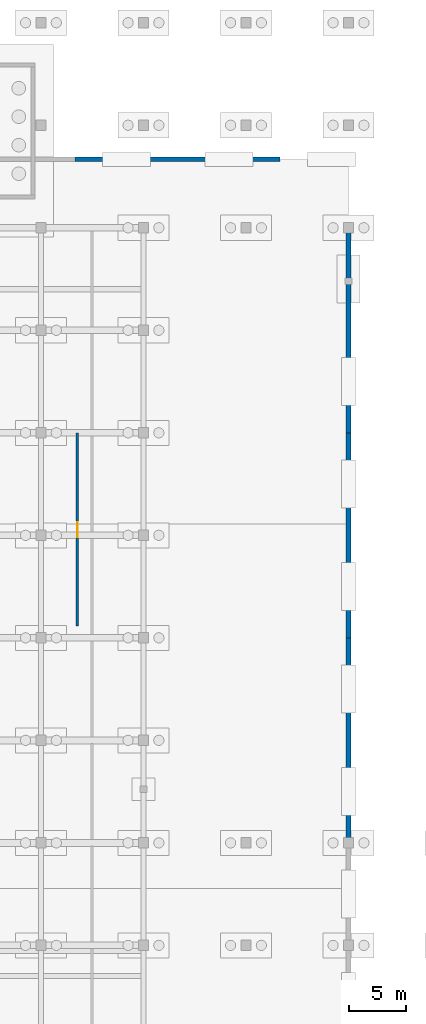
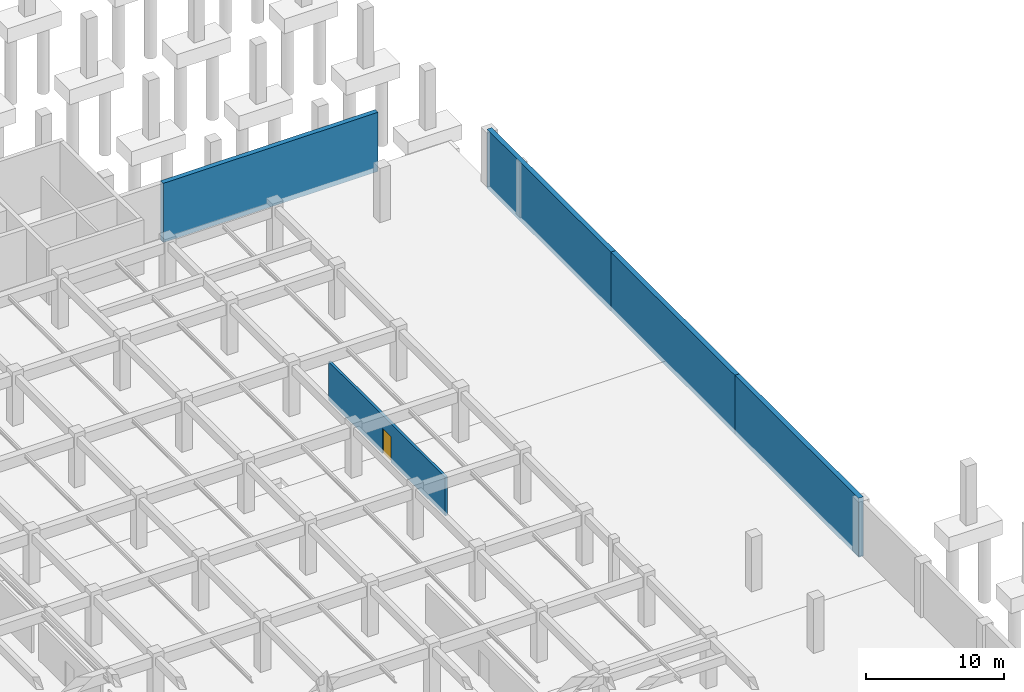
# One storey, part 21 of 27: 5 walls, 1 door, 1 opening.
"""IFC4 building model written with IfcOpenShell, lengths in metres."""

from ifc_helpers import new_model, si_unit, direction, frame, frame_2d, origin, place, context, subcontext, project, spatial, rectangle, extrude, material, layer, layer_set, type_object, element, fill, save


model = new_model("IFC4")

# Units and contexts
model_context = context("Model", 3, precision=1e-05, world=origin(), true_north=direction((0.0, 1.0)))
body_context = subcontext(model_context, "Body", "Model", "MODEL_VIEW")
ifc_project = project(units=[si_unit("LENGTHUNIT", "METRE"), si_unit("AREAUNIT", "SQUARE_METRE"), si_unit("VOLUMEUNIT", "CUBIC_METRE"), si_unit("PLANEANGLEUNIT", "RADIAN"), si_unit("MASSUNIT", "GRAM", prefix="KILO")], contexts=[model_context])

# Site, building, storey
site_placement = place(None, origin())
site = spatial("IfcSite", under=ifc_project, at=site_placement, CompositionType="ELEMENT")
building_placement = place(site_placement, origin())
building = spatial("IfcBuilding", under=site, at=building_placement, Name="Dornveld Trade and Exhibition Forum", CompositionType="ELEMENT")
storey_placement = place(building_placement, frame((0.0, 0.0, -4.800048828125)))
storey = spatial("IfcBuildingStorey", under=building, at=storey_placement, Name="B1", CompositionType="ELEMENT", Elevation=-4.800048828125)

# Wall, opening, door
ifc_material_1 = material(Name="Acoustic twin-stud gypsum and mineral wool", Category="gypsum")
ifc_layer_1 = layer(ifc_material_1, 0.215087890625)
ifc_layer_set_1 = layer_set([ifc_layer_1], Name="Acoustic twin-stud gypsum and mineral wool")
wall_type_1 = type_object("IfcWallType", Name="WL-INT-AC215", PredefinedType="PARTITIONING", material=ifc_layer_set_1)
wall_placement = place(storey_placement, frame((192.199951171875, 73.02001953125, 0.0), z_axis=(0.0, 0.0, 1.0), x_axis=(0.0, 1.0, 0.0)))
wall = element("IfcWall", 1, at=wall_placement, inside=storey, type_object=wall_type_1, Name="B1 interior partition 16", PredefinedType="PARTITIONING", context=body_context, shape_type="SweptSolid", body=[
    extrude(rectangle(XDim=16.9599609375, YDim=0.215087890625, at=frame_2d((8.47998046875, 0.0))), origin(), (0.0, 0.0, 1.0), 3.420166015625),
])
opening_placement = place(wall_placement, frame((7.830078125, 0.0, 0.0)))
opening = element("IfcOpeningElement", 2, at=opening_placement, cuts=wall, Name="Opening PD-03-006", PredefinedType="OPENING", context=body_context, shape_type="SweptSolid", body=[
    extrude(rectangle(XDim=1.300048828125, YDim=2.25, at=frame_2d((0.64990234375, 1.125))), frame((0.0, 0.117431640625, 0.0), z_axis=(0.0, -1.0, 0.0), x_axis=(1.0, 0.0, 0.0)), (0.0, 0.0, 1.0), 0.235107421875),
])
ifc_material_2 = material(Name="Galvanised steel store fire door", Category="steel")
door_type = type_object("IfcDoorType", Name="DR-PLT-130x225", OperationType="NOTDEFINED", PredefinedType="DOOR", material=ifc_material_2)
door_placement = place(opening_placement, origin())
door = element("IfcDoor", 3, at=door_placement, inside=storey, type_object=door_type, Name="B1 interior room door 6", OperationType="SINGLE_SWING_RIGHT", OverallHeight=2.25, OverallWidth=1.300048828125, PredefinedType="DOOR", context=body_context, shape_type="SweptSolid", body=[
    extrude(rectangle(XDim=1.300048828125, YDim=2.25, at=frame_2d((0.64990234375, 1.125))), frame((0.0, 0.02490234375, 0.0), z_axis=(0.0, -1.0, 0.0), x_axis=(1.0, 0.0, 0.0)), (0.0, 0.0, 1.0), 0.050048828125),
])
fill(opening, door)

# Walls
ifc_material_3 = material(Name="Concrete C40/50", Category="concrete")
ifc_layer_2 = layer(ifc_material_3, 0.39990234375)
ifc_layer_set_2 = layer_set([ifc_layer_2], Name="Concrete C40/50")
wall_type_2 = type_object("IfcWallType", Name="WL-RET-400", PredefinedType="USERDEFINED", material=ifc_layer_set_2)
for number, where, z_axis, x_axis, name in (
    (4, (192.0, 114.0, -0.449951171875), (0.0, 0.0, 1.0), (1.0, 0.0, 0.0), "B1 retaining wall N bay 7"),
    (5, (216.0, 54.0, -0.449951171875), (0.0, 0.0, 1.0), (0.0, 1.0, 0.0), "B1 retaining wall E bay 3"),
    (6, (216.0, 72.0, -0.449951171875), (0.0, 0.0, 1.0), (0.0, 1.0, 0.0), "B1 retaining wall E bay 4"),
    (7, (216.0, 90.0, -0.449951171875), (0.0, 0.0, 1.0), (0.0, 1.0, 0.0), "B1 retaining wall E bay 5"),
):
    element("IfcWall", number, at=place(storey_placement, frame(where, z_axis=z_axis, x_axis=x_axis)), inside=storey, type_object=wall_type_2, Name=name, ObjectType="RETAINING_WALL", PredefinedType="USERDEFINED", context=body_context, shape_type="SweptSolid", body=[
        extrude(rectangle(XDim=18.0, YDim=0.39990234375, at=frame_2d((9.0, 0.0))), origin(), (0.0, 0.0, 1.0), 5.25),
    ])

save(model, "model.ifc")
